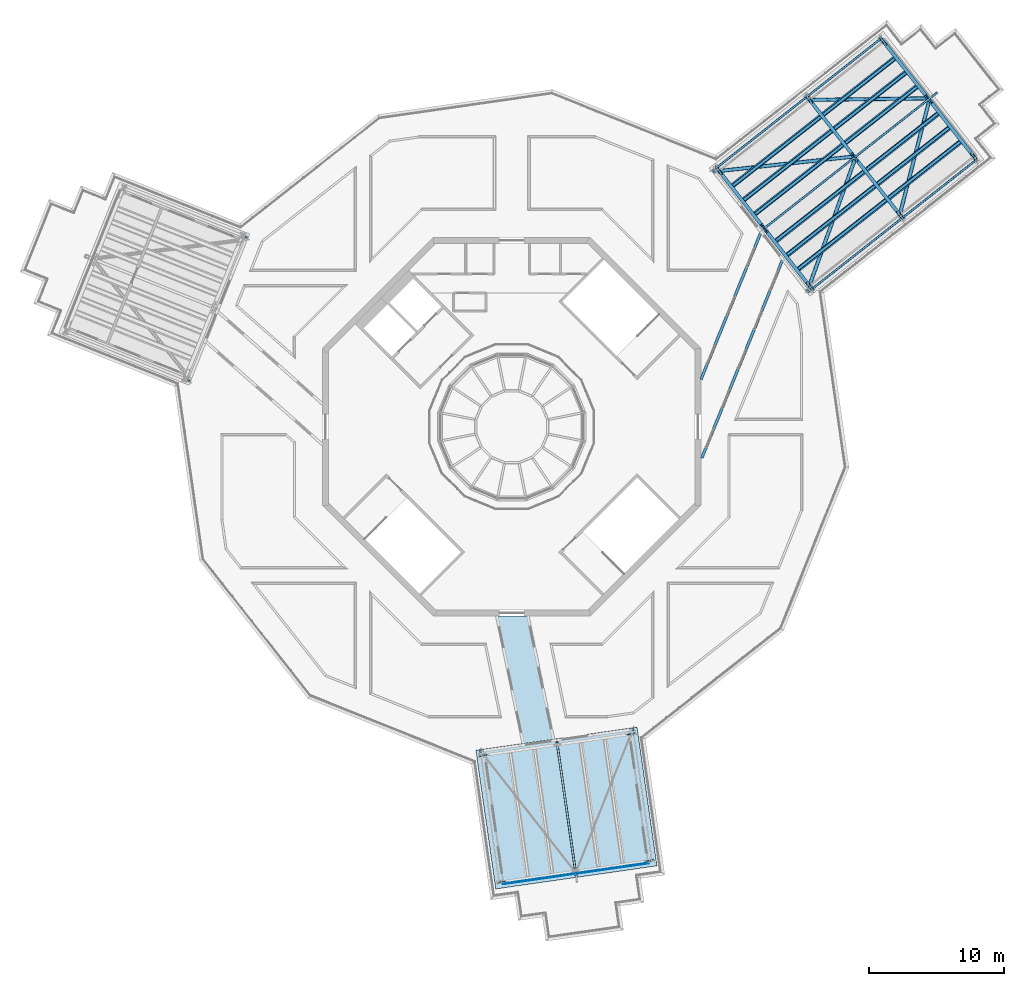
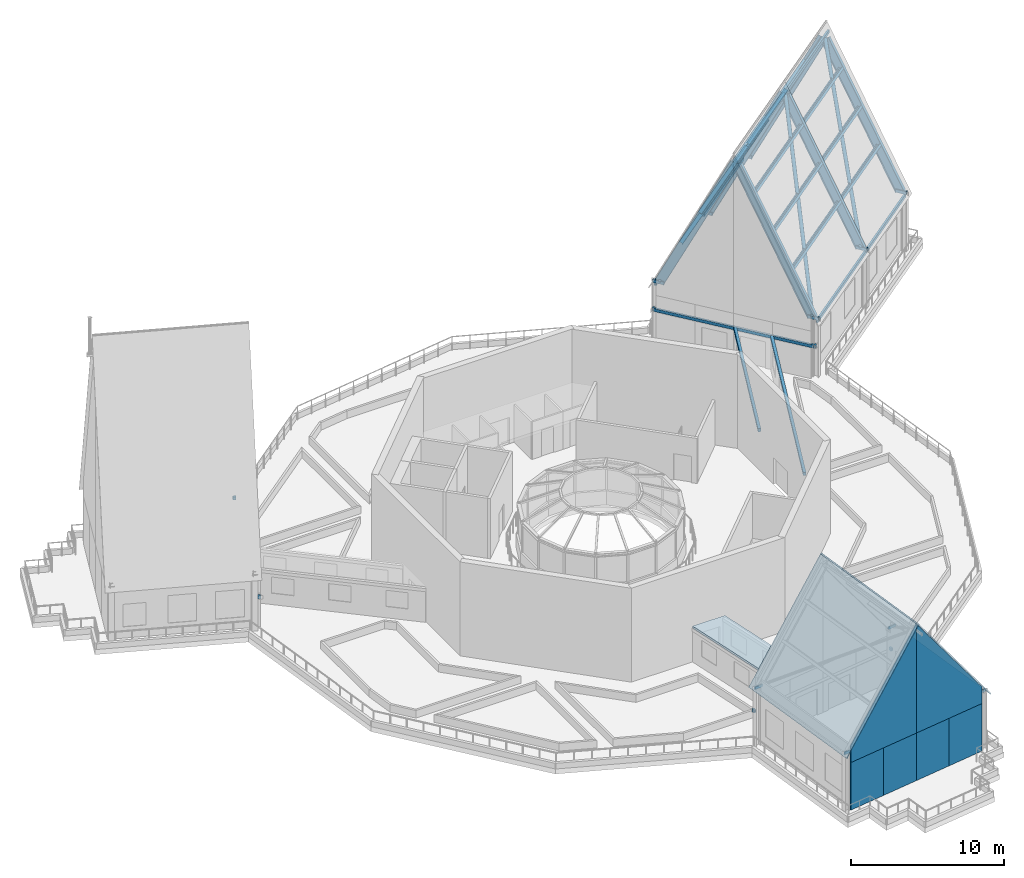
# One storey, part 10 of 32: 33 beams, 14 members, 6 plates, 3 slabs.
"""IFC4 building model written with IfcOpenShell, lengths in metres."""

from ifc_helpers import new_model, si_unit, direction, frame, frame_2d, origin, origin_2d, place, context, subcontext, project, spatial, polyline, rectangle, hollow_rectangle, hollow_circle, i_section, outline, extrude, material, layer, layer_set, material_profile, profile_set, type_object, element, save


model = new_model("IFC4")

# Units and contexts
model_context = context("Model", 3, precision=1e-05, world=origin(), true_north=direction((0.0, 1.0)))
body_context = subcontext(model_context, "Body", "Model", "MODEL_VIEW")
ifc_project = project(units=[si_unit("LENGTHUNIT", "METRE"), si_unit("AREAUNIT", "SQUARE_METRE"), si_unit("VOLUMEUNIT", "CUBIC_METRE"), si_unit("PLANEANGLEUNIT", "RADIAN"), si_unit("MASSUNIT", "GRAM", prefix="KILO")], contexts=[model_context])

# Site, building, storey
site_placement = place(None, origin())
site = spatial("IfcSite", under=ifc_project, at=site_placement, CompositionType="ELEMENT")
building_placement = place(site_placement, origin())
building = spatial("IfcBuilding", under=site, at=building_placement, Name="Verdalira Terraces Hotel", CompositionType="ELEMENT")
storey_placement = place(building_placement, frame((0.0, 0.0, 315.0)))
storey = spatial("IfcBuildingStorey", under=building, at=storey_placement, Name="L78", CompositionType="ELEMENT", Elevation=315.0)

# Beams
ifc_material_1 = material(Name="Steel ASTM A500 Grade C", Category="steel")
ifc_material_profile_1 = material_profile(ifc_material_1, hollow_rectangle(XDim=0.15234375, YDim=0.25390625, WallThickness=0.0087890625, InnerFilletRadius=0.00439453125, OuterFilletRadius=0.01318359375, at=origin_2d()), Name="HSS10X6X3/8")
ifc_profile_set_1 = profile_set([ifc_material_profile_1], Name="Steel ASTM A500 Grade C")
beam_type_1 = type_object("IfcBeamType", Name="Gable eave beam HSS10X6X3/8", PredefinedType="BEAM", material=ifc_profile_set_1)
beam_1_placement = place(storey_placement, frame((15.144043, 19.149414, 4.373047), z_axis=(0.786304389, 0.617839306, 0.0), x_axis=(-0.617839306, 0.786304389, 0.0)))
element("IfcBeam", 1, at=beam_1_placement, inside=storey, type_object=beam_type_1, Name="Gable eave beam G3-1a", PredefinedType="BEAM", context=body_context, shape_type="SweptSolid", body=[
    extrude(hollow_rectangle(XDim=0.15234375, YDim=0.25390625, WallThickness=0.0087890625, InnerFilletRadius=0.00439453125, OuterFilletRadius=0.01318359375, at=origin_2d()), origin(), (0.0, 0.0, 1.0), 8.502441),
])
beam_2_placement = place(storey_placement, frame((22.187744, 10.185791, 4.373047), z_axis=(0.786293428, 0.617853255, 0.0), x_axis=(-0.617853255, 0.786293428, 0.0)))
element("IfcBeam", 2, at=beam_2_placement, inside=storey, type_object=beam_type_1, Name="Gable eave beam G3-1b", PredefinedType="BEAM", context=body_context, shape_type="SweptSolid", body=[
    extrude(hollow_rectangle(XDim=0.15234375, YDim=0.25390625, WallThickness=0.0087890625, InnerFilletRadius=0.00439453125, OuterFilletRadius=0.01318359375, at=origin_2d()), origin(), (0.0, 0.0, 1.0), 8.502197),
])
for number, where, z_axis, x_axis, name in (
    (3, (21.82959, 24.402588, 4.373047), (0.786281812, 0.617868037, 0.0), (-0.617868037, 0.786281812, 0.0), "Gable eave beam G3-2a"),
    (4, (28.873047, 15.438965, 4.373047), (0.786281812, 0.617868037, 0.0), (-0.617868037, 0.786281812, 0.0), "Gable eave beam G3-2b"),
):
    element("IfcBeam", number, at=place(storey_placement, frame(where, z_axis=z_axis, x_axis=x_axis)), inside=storey, type_object=beam_type_1, Name=name, PredefinedType="BEAM", context=body_context, shape_type="SweptSolid", body=[
        extrude(hollow_rectangle(XDim=0.15234375, YDim=0.25390625, WallThickness=0.0087890625, InnerFilletRadius=0.00439453125, OuterFilletRadius=0.01318359375, at=origin_2d()), origin(), (0.0, 0.0, 1.0), 6.958252),
    ])
ifc_material_2 = material(Name="Steel ASTM A500 Grade C", Category="steel")
ifc_material_profile_2 = material_profile(ifc_material_2, hollow_rectangle(XDim=0.15234375, YDim=0.25390625, WallThickness=0.0087890625, InnerFilletRadius=0.00439453125, OuterFilletRadius=0.01318359375, at=origin_2d()), Name="HSS10X6X3/8")
ifc_profile_set_2 = profile_set([ifc_material_profile_2], Name="Steel ASTM A500 Grade C")
beam_type_2 = type_object("IfcBeamType", Name="Gable end lintel beam HSS10X6X3/8", PredefinedType="BEAM", material=ifc_profile_set_2)
for number, where, z_axis, x_axis, name in (
    (5, (-23.773193, 3.387207, 2.583008), (-0.928142932, 0.372223988, 0.0), (-0.372223988, -0.928142932, 0.0), "Gable end lintel stub G1a"),
    (6, (-19.532227, 13.968994, 2.583008), (-0.928142932, 0.372223988, 0.0), (-0.372223988, -0.928142932, 0.0), "Gable end lintel stub G1b"),
):
    element("IfcBeam", number, at=place(storey_placement, frame(where, z_axis=z_axis, x_axis=x_axis)), inside=storey, type_object=beam_type_2, Name=name, PredefinedType="BEAM", context=body_context, shape_type="SweptSolid", body=[
        extrude(hollow_rectangle(XDim=0.15234375, YDim=0.25390625, WallThickness=0.0087890625, InnerFilletRadius=0.00439453125, OuterFilletRadius=0.01318359375, at=origin_2d()), origin(), (0.0, 0.0, 1.0), 0.201904),
    ])
for number, where, z_axis, x_axis, name in (
    (7, (8.955078, -22.29541, 2.583008), (0.142435228, -0.989804125, 0.0), (0.989804125, 0.142435228, 0.0), "Gable end lintel stub G2a"),
    (8, (-2.329346, -23.913574, 2.583008), (0.142435228, -0.989804125, 0.0), (0.989804125, 0.142435228, 0.0), "Gable end lintel stub G2b"),
):
    element("IfcBeam", number, at=place(storey_placement, frame(where, z_axis=z_axis, x_axis=x_axis)), inside=storey, type_object=beam_type_2, Name=name, PredefinedType="BEAM", context=body_context, shape_type="SweptSolid", body=[
        extrude(hollow_rectangle(XDim=0.15234375, YDim=0.25390625, WallThickness=0.0087890625, InnerFilletRadius=0.00439453125, OuterFilletRadius=0.01318359375, at=origin_2d()), origin(), (0.0, 0.0, 1.0), 0.202148),
    ])
beam_3_placement = place(storey_placement, frame((21.894287, 10.013916, 2.583008), z_axis=(-0.617846344, 0.786298859, 0.0), x_axis=(-0.786298859, -0.617846344, 0.0)))
element("IfcBeam", 9, at=beam_3_placement, inside=storey, type_object=beam_type_2, Name="Gable end lintel beam G3", PredefinedType="BEAM", context=body_context, shape_type="SweptSolid", body=[
    extrude(hollow_rectangle(XDim=0.15234375, YDim=0.25390625, WallThickness=0.0087890625, InnerFilletRadius=0.00439453125, OuterFilletRadius=0.01318359375, at=origin_2d()), origin(), (0.0, 0.0, 1.0), 11.307617),
])
for number, where, z_axis, x_axis, name in (
    (10, (14.828857, 18.901611, 2.583008), (0.786024967, 0.618194752, 0.0), (-0.618194752, 0.786024967, 0.0), "Gable end lintel stub G3a"),
    (11, (21.872559, 9.937988, 2.583008), (0.786024967, 0.618194752, 0.0), (-0.618194752, 0.786024967, 0.0), "Gable end lintel stub G3b"),
):
    element("IfcBeam", number, at=place(storey_placement, frame(where, z_axis=z_axis, x_axis=x_axis)), inside=storey, type_object=beam_type_2, Name=name, PredefinedType="BEAM", context=body_context, shape_type="SweptSolid", body=[
        extrude(hollow_rectangle(XDim=0.15234375, YDim=0.25390625, WallThickness=0.0087890625, InnerFilletRadius=0.00439453125, OuterFilletRadius=0.01318359375, at=origin_2d()), origin(), (0.0, 0.0, 1.0), 0.202148),
    ])

# Members
ifc_material_3 = material(Name="Steel ASTM A500 Grade C", Category="steel")
ifc_material_profile_3 = material_profile(ifc_material_3, hollow_circle(Radius=0.136474609375, WallThickness=0.01171875, at=origin_2d()), Name="HSS10.750X0.500")
ifc_profile_set_3 = profile_set([ifc_material_profile_3], Name="Steel ASTM A500 Grade C")
member_type_1 = type_object("IfcMemberType", Name="Gable frame brace HSS10.750X0.500", PredefinedType="BRACE", material=ifc_profile_set_3)
for number, where, z_axis, x_axis, name in (
    (12, (15.332275, 18.909912, 4.634033), (0.674371384, 0.072415054, 0.734832836), (-0.10676777, 0.994283985, 0.0), "Gable frame brace G3-1a"),
    (13, (21.999512, 10.425049, 4.634033), (0.229856254, 0.638122698, 0.734823465), (-0.940825334, 0.338891858, 0.0), "Gable frame brace G3-1b"),
):
    element("IfcMember", number, at=place(storey_placement, frame(where, z_axis=z_axis, x_axis=x_axis)), inside=storey, type_object=member_type_1, Name=name, PredefinedType="BRACE", context=body_context, shape_type="SweptSolid", body=[
        extrude(hollow_circle(Radius=0.136474609375, WallThickness=0.01171875, at=origin_2d()), origin(), (0.0, 0.0, 1.0), 14.787109),
    ])
for number, where, z_axis, x_axis, name in (
    (14, (22.017578, 24.16333, 4.634033), (0.627510626, 0.008361677, 0.778563097), (-0.013323973, 0.999911232, 0.0), "Gable frame brace G3-2a"),
    (15, (28.684814, 15.678467, 4.634033), (0.156545461, 0.607726657, 0.778563953), (-0.968387965, 0.24944889, 0.0), "Gable frame brace G3-2b"),
):
    element("IfcMember", number, at=place(storey_placement, frame(where, z_axis=z_axis, x_axis=x_axis)), inside=storey, type_object=member_type_1, Name=name, PredefinedType="BRACE", context=body_context, shape_type="SweptSolid", body=[
        extrude(hollow_circle(Radius=0.136474609375, WallThickness=0.01171875, at=origin_2d()), origin(), (0.0, 0.0, 1.0), 13.956543),
    ])

# Beams
ifc_material_4 = material(Name="Steel ASTM A992 Grade 50", Category="steel")
ifc_material_profile_4 = material_profile(ifc_material_4, i_section(OverallWidth=0.253906, OverallDepth=0.678223, WebThickness=0.011719, FlangeThickness=0.016357, FilletRadius=0.015137, at=origin_2d()), Name="W27X84")
ifc_profile_set_4 = profile_set([ifc_material_profile_4], Name="Steel ASTM A992 Grade 50")
beam_type_3 = type_object("IfcBeamType", Name="Gable frame rafter W27X84", PredefinedType="BEAM", material=ifc_profile_set_4)
for number, where, z_axis, x_axis, name in (
    (16, (15.332275, 18.909912, 4.634033), (0.271662959, -0.345723505, 0.898150597), (0.786292856, 0.617853983, 0.0), "Gable frame rafter G3-1a"),
    (17, (21.999512, 10.425049, 4.634033), (-0.271662959, 0.345723505, 0.898150597), (-0.786292856, -0.617853983, 0.0), "Gable frame rafter G3-1b"),
    (18, (22.017578, 24.16333, 4.634033), (0.271662959, -0.345723505, 0.898150597), (0.786292856, 0.617853983, 0.0), "Gable frame rafter G3-2a"),
    (19, (28.684814, 15.678467, 4.634033), (-0.271644269, 0.3457254, 0.898155521), (-0.786315154, -0.617825606, 0.0), "Gable frame rafter G3-2b"),
):
    element("IfcBeam", number, at=place(storey_placement, frame(where, z_axis=z_axis, x_axis=x_axis)), inside=storey, type_object=beam_type_3, Name=name, PredefinedType="BEAM", context=body_context, shape_type="SweptSolid", body=[
        extrude(i_section(OverallWidth=0.253906, OverallDepth=0.678223, WebThickness=0.011719, FlangeThickness=0.016357, FilletRadius=0.015137, at=origin_2d()), origin(), (0.0, 0.0, 1.0), 12.098145),
    ])
for number, where, z_axis, x_axis, name in (
    (20, (27.489014, 28.462402, 4.634033), (0.271646164, -0.345707632, 0.898161787), (0.786297633, 0.617847904, 0.0), "Gable frame rafter G3-3a"),
    (21, (34.156006, 19.977783, 4.634033), (-0.271646164, 0.345707632, 0.898161787), (-0.786297633, -0.617847904, 0.0), "Gable frame rafter G3-3b"),
):
    element("IfcBeam", number, at=place(storey_placement, frame(where, z_axis=z_axis, x_axis=x_axis)), inside=storey, type_object=beam_type_3, Name=name, PredefinedType="BEAM", context=body_context, shape_type="SweptSolid", body=[
        extrude(i_section(OverallWidth=0.253906, OverallDepth=0.678223, WebThickness=0.011719, FlangeThickness=0.016357, FilletRadius=0.015137, at=origin_2d()), origin(), (0.0, 0.0, 1.0), 12.0979),
    ])

# Members
ifc_material_5 = material(Name="Steel ASTM A500 Grade C", Category="steel")
ifc_material_profile_5 = material_profile(ifc_material_5, hollow_rectangle(XDim=0.15234375, YDim=0.25390625, WallThickness=0.0087890625, InnerFilletRadius=0.00439453125, OuterFilletRadius=0.01318359375, at=origin_2d()), Name="HSS10X6X3/8")
ifc_profile_set_5 = profile_set([ifc_material_profile_5], Name="Steel ASTM A500 Grade C")
member_type_2 = type_object("IfcMemberType", Name="Gable heel seat member HSS10X6X3/8", PredefinedType="STRUT", material=ifc_profile_set_5)
for number, where, z_axis, x_axis, name in (
    (22, (15.539062, 18.646729, 4.626953), (-0.617766902, 0.786361275, 0.0), (-0.786361275, -0.617766902, 0.0), "Gable heel seat member G31a"),
    (23, (21.792725, 10.688232, 4.626953), (0.617958137, -0.786211003, 0.0), (0.786211003, 0.617958137, 0.0), "Gable heel seat member G31b"),
    (24, (22.224365, 23.900146, 4.626953), (-0.617766902, 0.786361275, 0.0), (-0.786361275, -0.617766902, 0.0), "Gable heel seat member G32a"),
    (25, (28.478271, 15.94165, 4.626953), (0.617766902, -0.786361275, 0.0), (0.786361275, 0.617766902, 0.0), "Gable heel seat member G32b"),
):
    element("IfcMember", number, at=place(storey_placement, frame(where, z_axis=z_axis, x_axis=x_axis)), inside=storey, type_object=member_type_2, Name=name, PredefinedType="STRUT", context=body_context, shape_type="SweptSolid", body=[
        extrude(hollow_rectangle(XDim=0.15234375, YDim=0.25390625, WallThickness=0.0087890625, InnerFilletRadius=0.00439453125, OuterFilletRadius=0.01318359375, at=origin_2d()), origin(), (0.0, 0.0, 1.0), 0.789307),
    ])
for number, where, z_axis, x_axis, name in (
    (26, (27.695557, 28.199463, 4.626953), (-0.617917205, 0.786243174, 0.0), (-0.786243174, -0.617917205, 0.0), "Gable heel seat member G33a"),
    (27, (33.949463, 20.240723, 4.626953), (0.617917205, -0.786243174, 0.0), (0.786243174, 0.617917205, 0.0), "Gable heel seat member G33b"),
):
    element("IfcMember", number, at=place(storey_placement, frame(where, z_axis=z_axis, x_axis=x_axis)), inside=storey, type_object=member_type_2, Name=name, PredefinedType="STRUT", context=body_context, shape_type="SweptSolid", body=[
        extrude(hollow_rectangle(XDim=0.15234375, YDim=0.25390625, WallThickness=0.0087890625, InnerFilletRadius=0.00439453125, OuterFilletRadius=0.01318359375, at=origin_2d()), origin(), (0.0, 0.0, 1.0), 0.789062),
    ])
ifc_material_6 = material(Name="Steel ASTM A500 Grade C", Category="steel")
ifc_material_profile_6 = material_profile(ifc_material_6, hollow_rectangle(XDim=0.1015625, YDim=0.203125, WallThickness=0.005859375, InnerFilletRadius=0.0029296875, OuterFilletRadius=0.0087890625, at=origin_2d()), Name="HSS8X4X1/4")
ifc_profile_set_6 = profile_set([ifc_material_profile_6], Name="Steel ASTM A500 Grade C")
member_type_3 = type_object("IfcMemberType", Name="Gable heel seat member HSS8X4X1/4", PredefinedType="STRUT", material=ifc_profile_set_6)
for number, where, z_axis, x_axis, name in (
    (28, (8.557373, -22.754883, 4.601562), (0.98988527, 0.141870197, 0.0), (-0.141870197, 0.98988527, 0.0), "Gable heel seat member G21a"),
    (29, (-1.818359, -24.24292, 4.601562), (-0.989941476, -0.141477466, 0.0), (0.141477466, -0.989941476, 0.0), "Gable heel seat member G21b"),
):
    element("IfcMember", number, at=place(storey_placement, frame(where, z_axis=z_axis, x_axis=x_axis)), inside=storey, type_object=member_type_3, Name=name, PredefinedType="STRUT", context=body_context, shape_type="SweptSolid", body=[
        extrude(hollow_rectangle(XDim=0.1015625, YDim=0.203125, WallThickness=0.005859375, InnerFilletRadius=0.0029296875, OuterFilletRadius=0.0087890625, at=origin_2d()), origin(), (0.0, 0.0, 1.0), 0.609131),
    ])
for number, where, z_axis, x_axis, name in (
    (30, (9.900391, -32.120117, 4.601562), (0.989820799, 0.142319313, 0.0), (-0.142319313, 0.989820799, 0.0), "Gable heel seat member G22a"),
    (31, (-0.475586, -33.60791, 4.601562), (-0.989933449, -0.14153362, 0.0), (0.14153362, -0.989933449, 0.0), "Gable heel seat member G22b"),
):
    element("IfcMember", number, at=place(storey_placement, frame(where, z_axis=z_axis, x_axis=x_axis)), inside=storey, type_object=member_type_3, Name=name, PredefinedType="STRUT", context=body_context, shape_type="SweptSolid", body=[
        extrude(hollow_rectangle(XDim=0.1015625, YDim=0.203125, WallThickness=0.005859375, InnerFilletRadius=0.0029296875, OuterFilletRadius=0.0087890625, at=origin_2d()), origin(), (0.0, 0.0, 1.0), 0.608887),
    ])

# Beams
ifc_material_7 = material(Name="Steel ASTM A992 Grade 50", Category="steel")
ifc_material_profile_7 = material_profile(ifc_material_7, i_section(OverallWidth=0.203369, OverallDepth=0.302246, WebThickness=0.007568, FlangeThickness=0.013184, FilletRadius=0.012939, at=origin_2d()), Name="W12X40")
ifc_profile_set_7 = profile_set([ifc_material_profile_7], Name="Steel ASTM A992 Grade 50")
beam_type_4 = type_object("IfcBeamType", Name="Gable purlin W12X40", PredefinedType="BEAM", material=ifc_profile_set_7)
beam_4_placement = place(storey_placement, frame((16.337646, 17.835938, 8.05542), z_axis=(0.78628239, 0.617867302, 0.0), x_axis=(-0.27166326, 0.345711832, -0.898154999)))
element("IfcBeam", 32, at=beam_4_placement, inside=storey, type_object=beam_type_4, Name="Gable purlin G3-1a1", PredefinedType="BEAM", context=body_context, shape_type="SweptSolid", body=[
    extrude(i_section(OverallWidth=0.203369, OverallDepth=0.302246, WebThickness=0.007568, FlangeThickness=0.013184, FilletRadius=0.012939, at=origin_2d()), origin(), (0.0, 0.0, 1.0), 8.248535),
])
beam_5_placement = place(storey_placement, frame((23.023193, 23.089355, 8.05542), z_axis=(0.786271581, 0.617881057, 0.0), x_axis=(-0.271669307, 0.345707079, -0.898154999)))
element("IfcBeam", 33, at=beam_5_placement, inside=storey, type_object=beam_type_4, Name="Gable purlin G3-2a1", PredefinedType="BEAM", context=body_context, shape_type="SweptSolid", body=[
    extrude(i_section(OverallWidth=0.203369, OverallDepth=0.302246, WebThickness=0.007568, FlangeThickness=0.013184, FilletRadius=0.012939, at=origin_2d()), origin(), (0.0, 0.0, 1.0), 6.704102),
])
beam_6_placement = place(storey_placement, frame((17.15918, 16.790283, 10.771729), z_axis=(0.786293689, 0.617852923, 0.0), x_axis=(-0.271656937, 0.3457168, -0.898154999)))
element("IfcBeam", 34, at=beam_6_placement, inside=storey, type_object=beam_type_4, Name="Gable purlin G3-1a2", PredefinedType="BEAM", context=body_context, shape_type="SweptSolid", body=[
    extrude(i_section(OverallWidth=0.203369, OverallDepth=0.302246, WebThickness=0.007568, FlangeThickness=0.013184, FilletRadius=0.012939, at=origin_2d()), origin(), (0.0, 0.0, 1.0), 8.248535),
])
beam_7_placement = place(storey_placement, frame((23.844727, 22.043701, 10.771729), z_axis=(0.786285483, 0.617863366, 0.0), x_axis=(-0.271661529, 0.345713192, -0.898154999)))
element("IfcBeam", 35, at=beam_7_placement, inside=storey, type_object=beam_type_4, Name="Gable purlin G3-2a2", PredefinedType="BEAM", context=body_context, shape_type="SweptSolid", body=[
    extrude(i_section(OverallWidth=0.203369, OverallDepth=0.302246, WebThickness=0.007568, FlangeThickness=0.013184, FilletRadius=0.012939, at=origin_2d()), origin(), (0.0, 0.0, 1.0), 6.704346),
])
beam_8_placement = place(storey_placement, frame((17.980957, 15.744873, 13.488281), z_axis=(0.78628239, 0.617867302, 0.0), x_axis=(-0.27166326, 0.345711832, -0.898154999)))
element("IfcBeam", 36, at=beam_8_placement, inside=storey, type_object=beam_type_4, Name="Gable purlin G3-1a3", PredefinedType="BEAM", context=body_context, shape_type="SweptSolid", body=[
    extrude(i_section(OverallWidth=0.203369, OverallDepth=0.302246, WebThickness=0.007568, FlangeThickness=0.013184, FilletRadius=0.012939, at=origin_2d()), origin(), (0.0, 0.0, 1.0), 8.248535),
])
beam_9_placement = place(storey_placement, frame((24.66626, 20.998047, 13.488281), z_axis=(0.786285483, 0.617863366, 0.0), x_axis=(-0.271661529, 0.345713192, -0.898154999)))
element("IfcBeam", 37, at=beam_9_placement, inside=storey, type_object=beam_type_4, Name="Gable purlin G3-2a3", PredefinedType="BEAM", context=body_context, shape_type="SweptSolid", body=[
    extrude(i_section(OverallWidth=0.203369, OverallDepth=0.302246, WebThickness=0.007568, FlangeThickness=0.013184, FilletRadius=0.012939, at=origin_2d()), origin(), (0.0, 0.0, 1.0), 6.704346),
])
beam_10_placement = place(storey_placement, frame((21.193848, 11.656006, 8.05542), z_axis=(0.786293689, 0.617852923, 0.0), x_axis=(-0.271656937, 0.3457168, 0.898154999)))
element("IfcBeam", 38, at=beam_10_placement, inside=storey, type_object=beam_type_4, Name="Gable purlin G3-1b1", PredefinedType="BEAM", context=body_context, shape_type="SweptSolid", body=[
    extrude(i_section(OverallWidth=0.203369, OverallDepth=0.302246, WebThickness=0.007568, FlangeThickness=0.013184, FilletRadius=0.012939, at=origin_2d()), origin(), (0.0, 0.0, 1.0), 8.248535),
])
beam_11_placement = place(storey_placement, frame((27.879395, 16.90918, 8.05542), z_axis=(0.786285483, 0.617863366, 0.0), x_axis=(-0.271661529, 0.345713192, 0.898154999)))
element("IfcBeam", 39, at=beam_11_placement, inside=storey, type_object=beam_type_4, Name="Gable purlin G3-2b1", PredefinedType="BEAM", context=body_context, shape_type="SweptSolid", body=[
    extrude(i_section(OverallWidth=0.203369, OverallDepth=0.302246, WebThickness=0.007568, FlangeThickness=0.013184, FilletRadius=0.012939, at=origin_2d()), origin(), (0.0, 0.0, 1.0), 6.704346),
])
beam_12_placement = place(storey_placement, frame((20.372314, 12.70166, 10.771729), z_axis=(0.78628239, 0.617867302, 0.0), x_axis=(-0.27166326, 0.345711832, 0.898154999)))
element("IfcBeam", 40, at=beam_12_placement, inside=storey, type_object=beam_type_4, Name="Gable purlin G3-1b2", PredefinedType="BEAM", context=body_context, shape_type="SweptSolid", body=[
    extrude(i_section(OverallWidth=0.203369, OverallDepth=0.302246, WebThickness=0.007568, FlangeThickness=0.013184, FilletRadius=0.012939, at=origin_2d()), origin(), (0.0, 0.0, 1.0), 8.248535),
])
beam_13_placement = place(storey_placement, frame((27.057617, 17.954834, 10.771729), z_axis=(0.786285483, 0.617863366, 0.0), x_axis=(-0.271661529, 0.345713192, 0.898154999)))
element("IfcBeam", 41, at=beam_13_placement, inside=storey, type_object=beam_type_4, Name="Gable purlin G3-2b2", PredefinedType="BEAM", context=body_context, shape_type="SweptSolid", body=[
    extrude(i_section(OverallWidth=0.203369, OverallDepth=0.302246, WebThickness=0.007568, FlangeThickness=0.013184, FilletRadius=0.012939, at=origin_2d()), origin(), (0.0, 0.0, 1.0), 6.704346),
])
beam_14_placement = place(storey_placement, frame((19.550537, 13.747314, 13.488281), z_axis=(0.786308068, 0.617834624, 0.0), x_axis=(-0.271648891, 0.345723122, 0.898154999)))
element("IfcBeam", 42, at=beam_14_placement, inside=storey, type_object=beam_type_4, Name="Gable purlin G3-1b3", PredefinedType="BEAM", context=body_context, shape_type="SweptSolid", body=[
    extrude(i_section(OverallWidth=0.203369, OverallDepth=0.302246, WebThickness=0.007568, FlangeThickness=0.013184, FilletRadius=0.012939, at=origin_2d()), origin(), (0.0, 0.0, 1.0), 8.248535),
])
beam_15_placement = place(storey_placement, frame((26.236084, 19.000488, 13.488281), z_axis=(0.786285483, 0.617863366, 0.0), x_axis=(-0.271661529, 0.345713192, 0.898154999)))
element("IfcBeam", 43, at=beam_15_placement, inside=storey, type_object=beam_type_4, Name="Gable purlin G3-2b3", PredefinedType="BEAM", context=body_context, shape_type="SweptSolid", body=[
    extrude(i_section(OverallWidth=0.203369, OverallDepth=0.302246, WebThickness=0.007568, FlangeThickness=0.013184, FilletRadius=0.012939, at=origin_2d()), origin(), (0.0, 0.0, 1.0), 6.704346),
])
ifc_material_8 = material(Name="Steel ASTM A500 Grade C", Category="steel")
ifc_material_profile_8 = material_profile(ifc_material_8, hollow_rectangle(XDim=0.15234375, YDim=0.25390625, WallThickness=0.0087890625, InnerFilletRadius=0.00439453125, OuterFilletRadius=0.01318359375, at=origin_2d()), Name="HSS10X6X3/8")
ifc_profile_set_8 = profile_set([ifc_material_profile_8], Name="Steel ASTM A500 Grade C")
beam_type_5 = type_object("IfcBeamType", Name="Gable ridge beam HSS10X6X3/8", PredefinedType="BEAM", material=ifc_profile_set_8)
beam_16_placement = place(storey_placement, frame((18.666016, 14.66748, 15.5), z_axis=(0.786279478, 0.617871008, 0.0), x_axis=(-0.617871008, 0.786279478, 0.0)))
element("IfcBeam", 44, at=beam_16_placement, inside=storey, type_object=beam_type_5, Name="Gable ridge beam G3-1", PredefinedType="BEAM", context=body_context, shape_type="SweptSolid", body=[
    extrude(hollow_rectangle(XDim=0.15234375, YDim=0.25390625, WallThickness=0.0087890625, InnerFilletRadius=0.00439453125, OuterFilletRadius=0.01318359375, at=origin_2d()), origin(), (0.0, 0.0, 1.0), 8.502441),
])
beam_17_placement = place(storey_placement, frame((25.351318, 19.920898, 15.5), z_axis=(0.786287716, 0.617860525, 0.0), x_axis=(-0.617860525, 0.786287716, 0.0)))
element("IfcBeam", 45, at=beam_17_placement, inside=storey, type_object=beam_type_5, Name="Gable ridge beam G3-2", PredefinedType="BEAM", context=body_context, shape_type="SweptSolid", body=[
    extrude(hollow_rectangle(XDim=0.15234375, YDim=0.25390625, WallThickness=0.0087890625, InnerFilletRadius=0.00439453125, OuterFilletRadius=0.01318359375, at=origin_2d()), origin(), (0.0, 0.0, 1.0), 7.746338),
])
ifc_material_9 = material(Name="Concrete C40", Category="concrete")
ifc_material_profile_9 = material_profile(ifc_material_9, rectangle(XDim=0.199951, YDim=0.25, at=origin_2d()), Name="RC 200X250")
ifc_profile_set_9 = profile_set([ifc_material_profile_9], Name="Concrete C40")
beam_type_6 = type_object("IfcBeamType", Name="Garden link roof beam RC 200X250 Concrete C40", PredefinedType="BEAM", material=ifc_profile_set_9)
beam_18_placement = place(storey_placement, frame((13.98877, 3.505127, 2.584961), z_axis=(0.377390389, 0.926054261, 0.0), x_axis=(-0.926054261, 0.377390389, 0.0)))
element("IfcBeam", 46, at=beam_18_placement, inside=storey, type_object=beam_type_6, Name="Garden link roof beam K3-1", PredefinedType="BEAM", context=body_context, shape_type="SweptSolid", body=[
    extrude(rectangle(XDim=0.199951, YDim=0.25, at=origin_2d()), origin(), (0.0, 0.0, 1.0), 11.694336),
])
beam_19_placement = place(storey_placement, frame((14.050781, -2.304443, 2.584961), z_axis=(0.377402125, 0.926049478, 0.0), x_axis=(-0.926049478, 0.377402125, 0.0)))
element("IfcBeam", 47, at=beam_19_placement, inside=storey, type_object=beam_type_6, Name="Garden link roof beam K3-2", PredefinedType="BEAM", context=body_context, shape_type="SweptSolid", body=[
    extrude(rectangle(XDim=0.199951, YDim=0.25, at=origin_2d()), origin(), (0.0, 0.0, 1.0), 15.769531),
])

# Plates
ifc_material_10 = material(Name="Bronze-finished insulated panel, ASTM A653 Grade 50 steel skins", Category="steel")
ifc_layer_1 = layer(ifc_material_10, 0.06005859375)
ifc_layer_set_1 = layer_set([ifc_layer_1], Name="Bronze gable end panel 60 mm")
plate_type_1 = type_object("IfcPlateType", Name="Bronze gable end panel 60 mm", PredefinedType="SHEET", material=ifc_layer_set_1)
plate_1_placement = place(storey_placement, frame((-0.668945, -33.801758, 0.0), z_axis=(0.0, 0.0, 1.0), x_axis=(0.989876023, 0.141934699, 0.0)))
element("IfcPlate", 48, at=plate_1_placement, inside=storey, type_object=plate_type_1, Name="Bronze gable end panel G2N1", PredefinedType="SHEET", context=body_context, shape_type="SweptSolid", body=[
    extrude(rectangle(XDim=2.729736, YDim=0.060059, at=frame_2d((1.364746, 0.0))), origin(), (0.0, 0.0, 1.0), 3.800049),
])
for number, where, z_axis, x_axis, name in (
    (49, (2.033203, -33.414307, 0.0), (0.0, 0.0, 1.0), (0.989877825, 0.141922135, 0.0), "Bronze gable end panel G2N2"),
    (50, (4.735596, -33.026855, 0.0), (0.0, 0.0, 1.0), (0.989877825, 0.141922135, 0.0), "Bronze gable end panel G2N3"),
    (51, (7.437988, -32.639404, 0.0), (0.0, 0.0, 1.0), (0.989877825, 0.141922135, 0.0), "Bronze gable end panel G2N4"),
):
    element("IfcPlate", number, at=place(storey_placement, frame(where, z_axis=z_axis, x_axis=x_axis)), inside=storey, type_object=plate_type_1, Name=name, PredefinedType="SHEET", context=body_context, shape_type="SweptSolid", body=[
        extrude(rectangle(XDim=2.72998, YDim=0.060059, at=frame_2d((1.36499, 0.0))), origin(), (0.0, 0.0, 1.0), 3.800049),
    ])
ifc_material_11 = material(Name="Bronze-finished insulated panel, ASTM A653 Grade 50 steel skins", Category="steel")
ifc_layer_2 = layer(ifc_material_11, 0.06005859375)
ifc_layer_set_2 = layer_set([ifc_layer_2], Name="Bronze gable end panel G2 upper course 60 mm")
plate_type_2 = type_object("IfcPlateType", Name="Bronze gable end panel G2 upper course 60 mm", PredefinedType="SHEET", material=ifc_layer_set_2)
plate_2_placement = place(storey_placement, frame((-0.668945, -33.801758, 3.800049), z_axis=(0.0, 0.0, 1.0), x_axis=(0.989876924, 0.141928417, 0.0)))
element("IfcPlate", 52, at=plate_2_placement, inside=storey, type_object=plate_type_2, Name="Bronze gable end panel G2N upper 1", PredefinedType="SHEET", context=body_context, shape_type="SweptSolid", body=[
    extrude(outline(polyline([(0.0, 0.0), (5.459717, 0.0), (5.459961, 8.717529), (0.0, 1.32666), (0.0, 0.0)])), frame((0.0, 0.030029, 0.0), z_axis=(0.0, -1.0, 0.0), x_axis=(1.0, 0.0, 0.0)), (0.0, 0.0, 1.0), 0.060059),
])
plate_3_placement = place(storey_placement, frame((10.140381, -32.251953, 3.800049), z_axis=(0.0, 0.0, 1.0), x_axis=(-0.989877825, -0.141922135, 0.0)))
element("IfcPlate", 53, at=plate_3_placement, inside=storey, type_object=plate_type_2, Name="Bronze gable end panel G2N upper 2", PredefinedType="SHEET", context=body_context, shape_type="SweptSolid", body=[
    extrude(outline(polyline([(0.0, 0.0), (5.459961, 0.0), (5.459961, 8.717529), (0.0, 1.32666), (0.0, 0.0)])), frame((0.0, 0.030029, 0.0), z_axis=(0.0, -1.0, 0.0), x_axis=(1.0, 0.0, 0.0)), (0.0, 0.0, 1.0), 0.060059),
])

# Slabs
ifc_material_12 = material(Name="Bronze-finished insulated panel, ASTM A653 Grade 50 steel skins", Category="steel")
ifc_layer_3 = layer(ifc_material_12, 0.080078125)
ifc_layer_set_3 = layer_set([ifc_layer_3], Name="Bronze roof panel 80 mm")
slab_type_1 = type_object("IfcSlabType", Name="Bronze roof panel 80 mm", PredefinedType="ROOF", material=ifc_layer_set_3)
slab_1_placement = place(storey_placement, frame((9.264648, -22.198975, 4.503418), z_axis=(0.796168823, 0.114162133, 0.594207214), x_axis=(0.1419417, -0.989875019, -5.574e-06)))
element("IfcSlab", 54, at=slab_1_placement, inside=storey, type_object=slab_type_1, Name="Bronze roof panel G2-1a", PredefinedType="ROOF", context=body_context, shape_type="SweptSolid", body=[
    extrude(outline(polyline([(0.0, 0.0), (10.360773, 0.0), (10.360705, -10.131316), (-3.3e-05, -10.131173), (0.0, 0.0)])), origin(), (0.0, 0.0, -1.0), 0.080078),
])
slab_2_placement = place(storey_placement, frame((-2.65332, -23.907959, 4.503418), z_axis=(-0.796175797, -0.114153657, 0.594199498), x_axis=(0.141926079, -0.989877259, 0.0)))
element("IfcSlab", 55, at=slab_2_placement, inside=storey, type_object=slab_type_1, Name="Bronze roof panel G2-1b", PredefinedType="ROOF", context=body_context, shape_type="SweptSolid", body=[
    extrude(outline(polyline([(0.0, 0.0), (10.360738, 0.0), (10.360631, 10.131173), (-0.000107, 10.131173), (0.0, 0.0)])), origin(), (0.0, 0.0, -1.0), 0.080078),
])
ifc_material_13 = material(Name="Concrete C40", Category="concrete")
ifc_layer_4 = layer(ifc_material_13, 0.14990234375)
ifc_layer_set_4 = layer_set([ifc_layer_4], Name="Garden link roof slab 150 mm")
slab_type_2 = type_object("IfcSlabType", Name="Garden link roof slab 150 mm", PredefinedType="ROOF", material=ifc_layer_set_4)
slab_3_placement = place(storey_placement, frame((0.0, 0.0, 2.709961)))
element("IfcSlab", 56, at=slab_3_placement, inside=storey, type_object=slab_type_2, Name="Garden link roof slab", PredefinedType="ROOF", context=body_context, shape_type="SweptSolid", body=[
    extrude(outline(polyline([(1.272217, -14.0), (3.155518, -23.091064), (0.775391, -23.432373), (-1.178955, -14.0), (1.272217, -14.0)])), origin(), (0.0, 0.0, 1.0), 0.150146),
])

save(model, "model.ifc")
